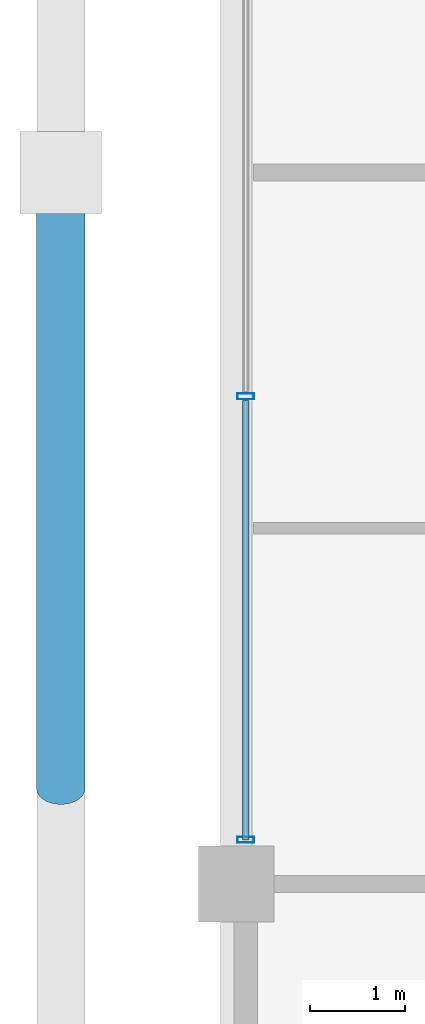
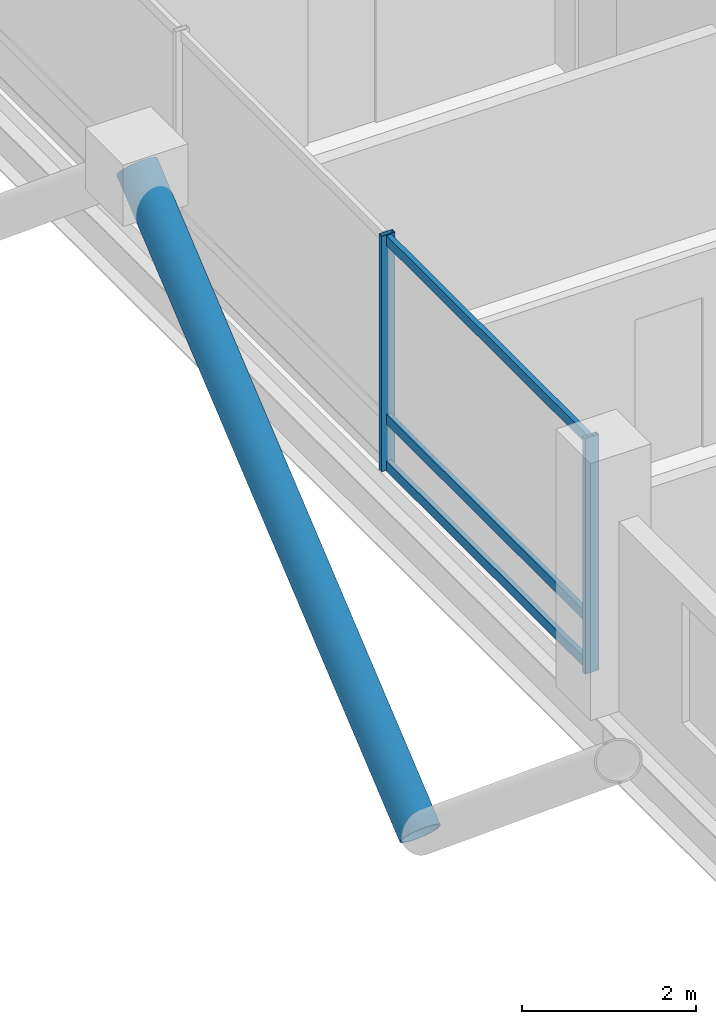
# One storey, part 4 of 23: 6 members, 1 element without a shape of its own.
"""IFC4 building model written with IfcOpenShell, lengths in metres."""

from ifc_helpers import new_model, si_unit, direction, frame, origin, origin_2d, place, context, subcontext, project, spatial, hollow_rectangle, hollow_circle, extrude, material, layer, layer_set, material_profile, profile_set, type_object, element, aggregate, save


model = new_model("IFC4")

# Units and contexts
model_context = context("Model", 3, precision=1e-05, world=origin(), true_north=direction((0.0, 1.0)))
body_context = subcontext(model_context, "Body", "Model", "MODEL_VIEW")
ifc_project = project(units=[si_unit("LENGTHUNIT", "METRE"), si_unit("AREAUNIT", "SQUARE_METRE"), si_unit("VOLUMEUNIT", "CUBIC_METRE"), si_unit("PLANEANGLEUNIT", "RADIAN"), si_unit("MASSUNIT", "GRAM", prefix="KILO")], contexts=[model_context])

# Site, building, storey
site_placement = place(None, origin())
site = spatial("IfcSite", under=ifc_project, at=site_placement, CompositionType="ELEMENT")
building_placement = place(site_placement, origin())
building = spatial("IfcBuilding", under=site, at=building_placement, Name="Barlavira Tower and Art Museum", CompositionType="ELEMENT")
storey_placement = place(building_placement, frame((0.0, 0.0, 117.0)))
storey = spatial("IfcBuildingStorey", under=building, at=storey_placement, Name="L29", CompositionType="ELEMENT", Elevation=117.0)

# Curtain wall, members
ifc_material_1 = material(Name="Low-iron coastal laminated glass", Category="glass")
ifc_layer = layer(ifc_material_1, 0.18994140625, Name="Low-iron coastal laminated glass")
ifc_layer_set = layer_set([ifc_layer], Name="Low-iron coastal laminated glass")
curtain_wall_type = type_object("IfcCurtainWallType", Name="Pale-Metal Unitised Curtain Wall Zone 2", PredefinedType="NOTDEFINED", material=ifc_layer_set)
curtain_wall_placement = place(storey_placement, origin())
curtain_wall = element("IfcCurtainWall", 1, at=curtain_wall_placement, inside=storey, type_object=curtain_wall_type, Name="L29 Curtain Wall CW2-L29-W-B3", PredefinedType="NOTDEFINED")
ifc_material_2 = material(Name="Pale anodised aluminium", Category="aluminium")
ifc_material_profile_1 = material_profile(ifc_material_2, hollow_rectangle(XDim=0.06494140625, YDim=0.179931640625, WallThickness=0.00390625, at=origin_2d()), Name="ALU-MULL 65x180x4")
ifc_profile_set_1 = profile_set([ifc_material_profile_1], Name="Pale anodised aluminium")
member_type_1 = type_object("IfcMemberType", Name="Curtain Wall Pale-Metal Mullion 65x180", PredefinedType="MULLION", material=ifc_profile_set_1)
member_1_placement = place(storey_placement, frame((-20.14990234375, -2.360107421875, 0.0), z_axis=(0.0, 0.0, 1.0), x_axis=(0.0, -1.0, 0.0)))
member_1 = element("IfcMember", 2, at=member_1_placement, type_object=member_type_1, Name="CW2-L29-W-B3 Mullion 2", PredefinedType="MULLION", context=body_context, shape_type="SweptSolid", body=[
    extrude(hollow_rectangle(XDim=0.06494140625, YDim=0.179931640625, WallThickness=0.00390625, at=origin_2d()), origin(), (0.0, 0.0, 1.0), 3.300048828125),
])
member_2_placement = place(storey_placement, frame((-20.14990234375, -7.034912109375, 0.0), z_axis=(0.0, 0.0, 1.0), x_axis=(0.0, -1.0, 0.0)))
member_2 = element("IfcMember", 3, at=member_2_placement, type_object=member_type_1, Name="CW2-L29-W-B3 Mullion 3", PredefinedType="MULLION", context=body_context, shape_type="SweptSolid", body=[
    extrude(hollow_rectangle(XDim=0.06494140625, YDim=0.179931640625, WallThickness=0.00390625, at=origin_2d()), origin(), (0.0, 0.0, 1.0), 3.300048828125),
])
ifc_material_profile_2 = material_profile(ifc_material_2, hollow_rectangle(XDim=0.06494140625, YDim=0.139892578125, WallThickness=0.00390625, at=origin_2d()), Name="ALU-TRAN 65x140x4")
ifc_profile_set_2 = profile_set([ifc_material_profile_2], Name="Pale anodised aluminium")
member_type_2 = type_object("IfcMemberType", Name="Curtain Wall Pale-Metal Transom 65x140", PredefinedType="USERDEFINED", material=ifc_profile_set_2)
member_3_placement = place(storey_placement, frame((-20.14990234375, -2.405029296875, 0.070068359375), z_axis=(0.0, -1.0, 0.0), x_axis=(1.0, 0.0, 0.0)))
member_3 = element("IfcMember", 4, at=member_3_placement, type_object=member_type_2, Name="CW2-L29-W-B3 Transom 2.1", ObjectType="TRANSOM", PredefinedType="USERDEFINED", context=body_context, shape_type="SweptSolid", body=[
    extrude(hollow_rectangle(XDim=0.06494140625, YDim=0.139892578125, WallThickness=0.00390625, at=origin_2d()), origin(), (0.0, 0.0, 1.0), 4.6298828125),
])
member_4_placement = place(storey_placement, frame((-20.14990234375, -2.405029296875, 0.72607421875), z_axis=(0.0, -1.0, 0.0), x_axis=(1.0, 0.0, 0.0)))
member_4 = element("IfcMember", 5, at=member_4_placement, type_object=member_type_2, Name="CW2-L29-W-B3 Transom 2.2", ObjectType="TRANSOM", PredefinedType="USERDEFINED", context=body_context, shape_type="SweptSolid", body=[
    extrude(hollow_rectangle(XDim=0.06494140625, YDim=0.139892578125, WallThickness=0.00390625, at=origin_2d()), origin(), (0.0, 0.0, 1.0), 4.6298828125),
])
member_5_placement = place(storey_placement, frame((-20.14990234375, -2.405029296875, 3.22998046875), z_axis=(0.0, -1.0, 0.0), x_axis=(1.0, 0.0, 0.0)))
member_5 = element("IfcMember", 6, at=member_5_placement, type_object=member_type_2, Name="CW2-L29-W-B3 Transom 2.3", ObjectType="TRANSOM", PredefinedType="USERDEFINED", context=body_context, shape_type="SweptSolid", body=[
    extrude(hollow_rectangle(XDim=0.06494140625, YDim=0.139892578125, WallThickness=0.00390625, at=origin_2d()), origin(), (0.0, 0.0, 1.0), 4.6298828125),
])
aggregate(curtain_wall, [member_1, member_2, member_3, member_4, member_5])

# Member
ifc_material_3 = material(Name="Steel S355", Category="steel")
ifc_material_profile_3 = material_profile(ifc_material_3, hollow_circle(Radius=0.25390625, WallThickness=0.022216796875, at=origin_2d()), Name="CHS 508.0x22.2")
ifc_profile_set_3 = profile_set([ifc_material_profile_3], Name="Steel S355")
member_type_3 = type_object("IfcMemberType", Name="Pale-Metal Exoskeleton Diagrid Tube CHS 508x22 Steel S355", PredefinedType="BRACE", material=ifc_profile_set_3)
member_6_placement = place(storey_placement, frame((-22.10009765625, -6.5, -1.919921875), z_axis=(0.0, 0.769196053329, 0.639012857104), x_axis=(-1.0, 0.0, 0.0)))
element("IfcMember", 7, at=member_6_placement, inside=storey, type_object=member_type_3, Name="L29 Exoskeleton Diagrid Tube W", PredefinedType="BRACE", context=body_context, shape_type="SweptSolid", body=[
    extrude(hollow_circle(Radius=0.25390625, WallThickness=0.022216796875, at=origin_2d()), origin(), (0.0, 0.0, 1.0), 8.450439453125),
])

save(model, "model.ifc")
